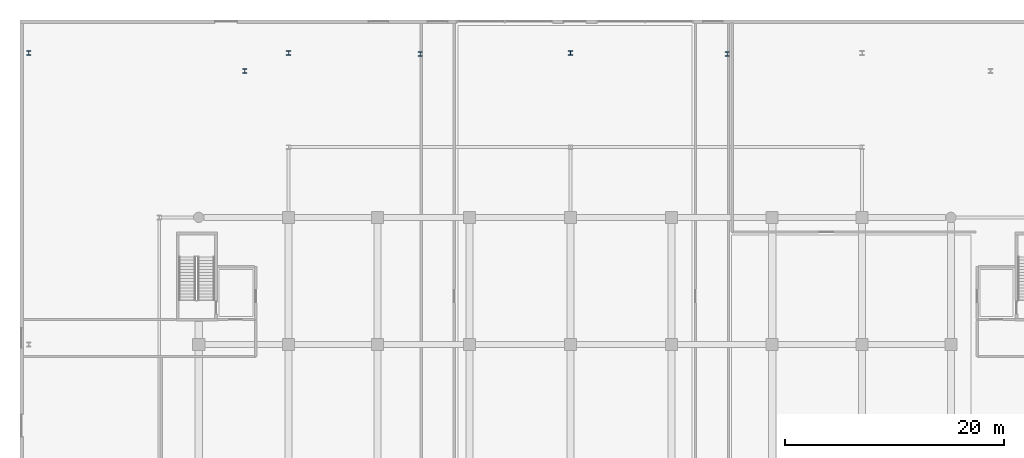
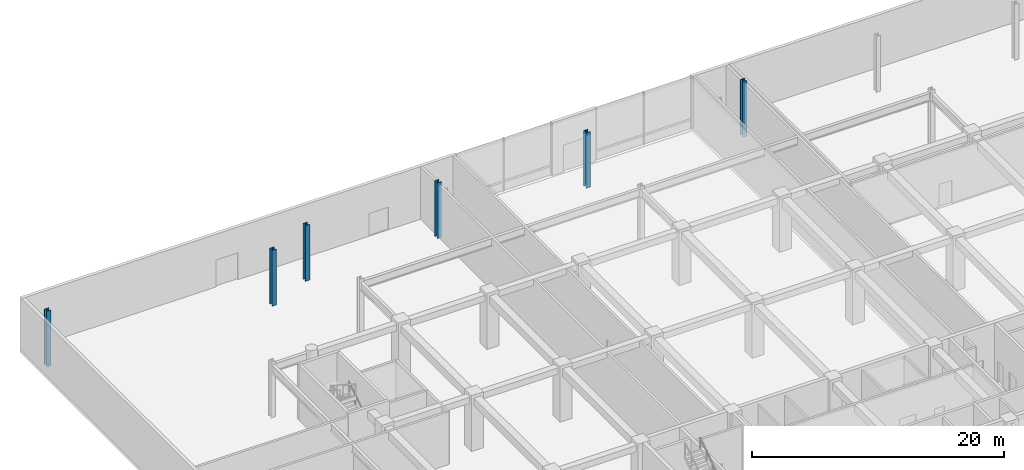
# One storey, part 9 of 46: 6 columns.
"""IFC4 building model written with IfcOpenShell, lengths in metres."""

from ifc_helpers import new_model, si_unit, direction, frame, origin, origin_2d, place, context, subcontext, project, spatial, i_section, extrude, material, material_profile, profile_set, type_object, element, save


model = new_model("IFC4")

# Units and contexts
model_context = context("Model", 3, precision=1e-05, world=origin(), true_north=direction((0.0, 1.0)))
body_context = subcontext(model_context, "Body", "Model", "MODEL_VIEW")
ifc_project = project(units=[si_unit("LENGTHUNIT", "METRE"), si_unit("AREAUNIT", "SQUARE_METRE"), si_unit("VOLUMEUNIT", "CUBIC_METRE"), si_unit("PLANEANGLEUNIT", "RADIAN"), si_unit("MASSUNIT", "GRAM", prefix="KILO")], contexts=[model_context])

# Site, building, storey
site_placement = place(None, origin())
site = spatial("IfcSite", under=ifc_project, at=site_placement, CompositionType="ELEMENT")
building_placement = place(site_placement, origin())
building = spatial("IfcBuilding", under=site, at=building_placement, Name="Korimba Cascade Residences", CompositionType="ELEMENT")
storey_placement = place(building_placement, origin())
storey = spatial("IfcBuildingStorey", under=building, at=storey_placement, Name="L00", CompositionType="ELEMENT", Elevation=0.0)

# Columns
ifc_material = material(Name="Steel S355", Category="steel")
ifc_material_profile = material_profile(ifc_material, i_section(OverallWidth=0.39892578125, OverallDepth=0.3935546875, WebThickness=0.022705078125, FlangeThickness=0.03662109375, FilletRadius=0.01513671875, at=origin_2d()), Name="Steel S355")
ifc_profile_set = profile_set([ifc_material_profile], Name="Steel S355")
column_type = type_object("IfcColumnType", Name="COL-STL-UC287", PredefinedType="COLUMN", material=ifc_profile_set)
for number, where, z_axis, x_axis, name in (
    (1, (80.0, 106.10009765625, 0.0), (0.0, 0.0, 1.0), (1.0, 0.0, 0.0), "L00 Podium Column PTN1"),
    (2, (108.0, 106.10009765625, 0.0), (0.0, 0.0, 1.0), (1.0, 0.0, 0.0), "L00 Podium Column PTN2"),
    (3, (64.0, 104.550048828125, 0.0), (0.0, 0.0, 1.0), (1.0, 0.0, 0.0), "L00 Podium Column PTN3"),
    (4, (44.300048828125, 106.199951171875, 0.0), (0.0, 0.0, 1.0), (1.0, 0.0, 0.0), "L00 Podium Column PLW5"),
    (5, (68.0, 106.199951171875, 0.0), (0.0, 0.0, 1.0), (1.0, 0.0, 0.0), "L00 Podium Column PLN1"),
    (6, (93.699951171875, 106.199951171875, 0.0), (0.0, 0.0, 1.0), (1.0, 0.0, 0.0), "L00 Podium Column PLN2"),
):
    element("IfcColumn", number, at=place(storey_placement, frame(where, z_axis=z_axis, x_axis=x_axis)), inside=storey, type_object=column_type, Name=name, PredefinedType="COLUMN", context=body_context, shape_type="SweptSolid", body=[
        extrude(i_section(OverallWidth=0.39892578125, OverallDepth=0.3935546875, WebThickness=0.022705078125, FlangeThickness=0.03662109375, FilletRadius=0.01513671875, at=origin_2d()), origin(), (0.0, 0.0, 1.0), 5.39990234375),
    ])

save(model, "model.ifc")
